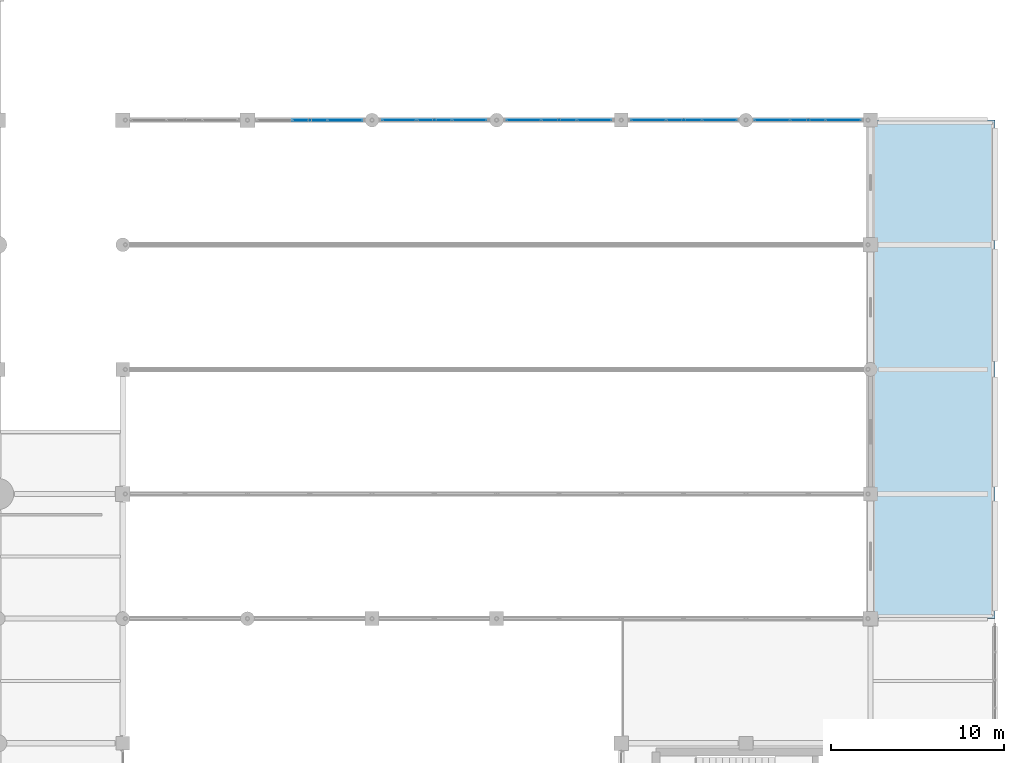
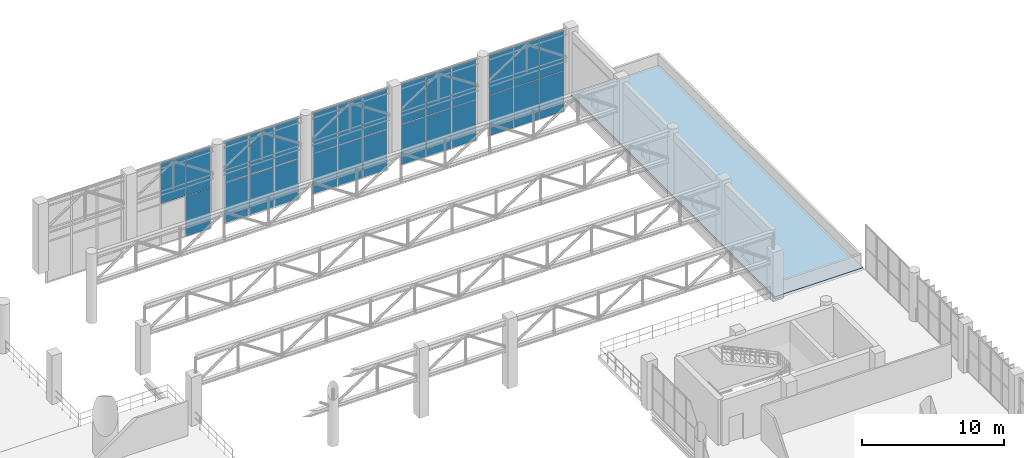
# One storey, part 128 of 153: 27 plates, 1 slab, 5 elements without a shape of their own.
"""IFC4 building model written with IfcOpenShell, lengths in metres."""

from ifc_helpers import new_model, si_unit, direction, frame, origin, origin_2d, place, context, subcontext, project, spatial, polyline, rectangle, outline, extrude, material, layer, layer_set, type_object, element, aggregate, save


model = new_model("IFC4")

# Units and contexts
model_context = context("Model", 3, precision=1e-05, world=origin(), true_north=direction((0.0, 1.0)))
body_context = subcontext(model_context, "Body", "Model", "MODEL_VIEW")
ifc_project = project(units=[si_unit("LENGTHUNIT", "METRE"), si_unit("AREAUNIT", "SQUARE_METRE"), si_unit("VOLUMEUNIT", "CUBIC_METRE"), si_unit("PLANEANGLEUNIT", "RADIAN"), si_unit("MASSUNIT", "GRAM", prefix="KILO")], contexts=[model_context])

# Site, building, storey
site_placement = place(None, origin())
site = spatial("IfcSite", under=ifc_project, at=site_placement, CompositionType="ELEMENT")
building_placement = place(site_placement, origin())
building = spatial("IfcBuilding", under=site, at=building_placement, Name="Qandorah Velis Arena", CompositionType="ELEMENT")
storey_placement = place(building_placement, frame((0.0, 0.0, 5.39990234375)))
storey = spatial("IfcBuildingStorey", under=building, at=storey_placement, Name="L01", CompositionType="ELEMENT", Elevation=5.39990234375)

# Curtain wall, plates
ifc_material_1 = material(Name="Solar-control low-E double glazing", Category="glass")
curtain_wall_type_1 = type_object("IfcCurtainWallType", Name="ARC-CW-SYS20", PredefinedType="USERDEFINED", material=ifc_material_1)
curtain_wall_1_placement = place(storey_placement, origin())
curtain_wall_1 = element("IfcCurtainWall", 1, at=curtain_wall_1_placement, inside=storey, type_object=curtain_wall_type_1, Name="Unitised curtain wall L01-164", ObjectType="UNITISED CURTAIN WALL", PredefinedType="USERDEFINED")
ifc_layer_1 = layer(ifc_material_1, 0.02392578125)
ifc_layer_set_1 = layer_set([ifc_layer_1], Name="Solar-control low-E double glazing")
plate_type_1 = type_object("IfcPlateType", Name="ARC-CWP-GLZ24", PredefinedType="CURTAIN_PANEL", material=ifc_layer_set_1)
plate_1_placement = place(storey_placement, frame((159.922119140625, 122.39990234375, -1.2548828125), z_axis=(0.0, 0.0, 1.0), x_axis=(1.0, 0.0, 0.0)))
plate_1 = element("IfcPlate", 2, at=plate_1_placement, type_object=plate_type_1, Name="CW20 panel 1.1", PredefinedType="CURTAIN_PANEL", context=body_context, shape_type="SweptSolid", body=[
    extrude(rectangle(XDim=2.004150390625, YDim=0.02392578125, at=origin_2d()), origin(), (0.0, 0.0, 1.0), 3.4775390625),
])
plate_2_placement = place(storey_placement, frame((159.922119140625, 122.39990234375, 2.257568359375), z_axis=(0.0, 0.0, 1.0), x_axis=(1.0, 0.0, 0.0)))
plate_2 = element("IfcPlate", 3, at=plate_2_placement, type_object=plate_type_1, Name="CW20 panel 1.2", PredefinedType="CURTAIN_PANEL", context=body_context, shape_type="SweptSolid", body=[
    extrude(rectangle(XDim=2.004150390625, YDim=0.02392578125, at=origin_2d()), origin(), (0.0, 0.0, 1.0), 3.4775390625),
])
plate_3_placement = place(storey_placement, frame((161.97509765625, 122.39990234375, -1.2548828125), z_axis=(0.0, 0.0, 1.0), x_axis=(1.0, 0.0, 0.0)))
plate_3 = element("IfcPlate", 4, at=plate_3_placement, type_object=plate_type_1, Name="CW20 panel 2.1", PredefinedType="CURTAIN_PANEL", context=body_context, shape_type="SweptSolid", body=[
    extrude(rectangle(XDim=2.03173828125, YDim=0.02392578125, at=origin_2d()), origin(), (0.0, 0.0, 1.0), 3.4775390625),
])
plate_4_placement = place(storey_placement, frame((161.97509765625, 122.39990234375, 2.257568359375), z_axis=(0.0, 0.0, 1.0), x_axis=(1.0, 0.0, 0.0)))
plate_4 = element("IfcPlate", 5, at=plate_4_placement, type_object=plate_type_1, Name="CW20 panel 2.2", PredefinedType="CURTAIN_PANEL", context=body_context, shape_type="SweptSolid", body=[
    extrude(rectangle(XDim=2.03173828125, YDim=0.02392578125, at=origin_2d()), origin(), (0.0, 0.0, 1.0), 3.4775390625),
])
plate_5_placement = place(storey_placement, frame((164.02783203125, 122.39990234375, -1.2548828125), z_axis=(0.0, 0.0, 1.0), x_axis=(1.0, 0.0, 0.0)))
plate_5 = element("IfcPlate", 6, at=plate_5_placement, type_object=plate_type_1, Name="CW20 panel 3.1", PredefinedType="CURTAIN_PANEL", context=body_context, shape_type="SweptSolid", body=[
    extrude(rectangle(XDim=2.004150390625, YDim=0.02392578125, at=origin_2d()), origin(), (0.0, 0.0, 1.0), 3.4775390625),
])
plate_6_placement = place(storey_placement, frame((164.02783203125, 122.39990234375, 2.257568359375), z_axis=(0.0, 0.0, 1.0), x_axis=(1.0, 0.0, 0.0)))
plate_6 = element("IfcPlate", 7, at=plate_6_placement, type_object=plate_type_1, Name="CW20 panel 3.2", PredefinedType="CURTAIN_PANEL", context=body_context, shape_type="SweptSolid", body=[
    extrude(rectangle(XDim=2.004150390625, YDim=0.02392578125, at=origin_2d()), origin(), (0.0, 0.0, 1.0), 3.4775390625),
])
aggregate(curtain_wall_1, [plate_1, plate_2, plate_3, plate_4, plate_5, plate_6])

curtain_wall_type_2 = type_object("IfcCurtainWallType", Name="ARC-CW-SYS19", PredefinedType="USERDEFINED", material=ifc_material_1)
curtain_wall_2_placement = place(storey_placement, origin())
curtain_wall_2 = element("IfcCurtainWall", 8, at=curtain_wall_2_placement, inside=storey, type_object=curtain_wall_type_2, Name="Unitised curtain wall L01-163", ObjectType="UNITISED CURTAIN WALL", PredefinedType="USERDEFINED")
ifc_layer_2 = layer(ifc_material_1, 0.028076171875)
ifc_layer_set_2 = layer_set([ifc_layer_2], Name="Solar-control low-E double glazing")
plate_type_2 = type_object("IfcPlateType", Name="ARC-CWP-GLZ28", PredefinedType="CURTAIN_PANEL", material=ifc_layer_set_2)
plate_7_placement = place(storey_placement, frame((152.7734375, 122.39990234375, -1.25), z_axis=(0.0, 0.0, 1.0), x_axis=(1.0, 0.0, 0.0)))
plate_7 = element("IfcPlate", 9, at=plate_7_placement, type_object=plate_type_2, Name="CW19 panel 1.1", PredefinedType="CURTAIN_PANEL", context=body_context, shape_type="SweptSolid", body=[
    extrude(rectangle(XDim=1.99658203125, YDim=0.028076171875, at=origin_2d()), origin(), (0.0, 0.0, 1.0), 3.469970703125),
])
plate_8_placement = place(storey_placement, frame((152.7734375, 122.39990234375, 2.26025390625), z_axis=(0.0, 0.0, 1.0), x_axis=(1.0, 0.0, 0.0)))
plate_8 = element("IfcPlate", 10, at=plate_8_placement, type_object=plate_type_2, Name="CW19 panel 1.2", PredefinedType="CURTAIN_PANEL", context=body_context, shape_type="SweptSolid", body=[
    extrude(rectangle(XDim=1.99658203125, YDim=0.028076171875, at=origin_2d()), origin(), (0.0, 0.0, 1.0), 3.469970703125),
])
plate_9_placement = place(storey_placement, frame((154.824951171875, 122.39990234375, -1.25), z_axis=(0.0, 0.0, 1.0), x_axis=(1.0, 0.0, 0.0)))
plate_9 = element("IfcPlate", 11, at=plate_9_placement, type_object=plate_type_2, Name="CW19 panel 2.1", PredefinedType="CURTAIN_PANEL", context=body_context, shape_type="SweptSolid", body=[
    extrude(rectangle(XDim=2.026611328125, YDim=0.028076171875, at=origin_2d()), origin(), (0.0, 0.0, 1.0), 3.469970703125),
])
plate_10_placement = place(storey_placement, frame((154.824951171875, 122.39990234375, 2.26025390625), z_axis=(0.0, 0.0, 1.0), x_axis=(1.0, 0.0, 0.0)))
plate_10 = element("IfcPlate", 12, at=plate_10_placement, type_object=plate_type_2, Name="CW19 panel 2.2", PredefinedType="CURTAIN_PANEL", context=body_context, shape_type="SweptSolid", body=[
    extrude(rectangle(XDim=2.026611328125, YDim=0.028076171875, at=origin_2d()), origin(), (0.0, 0.0, 1.0), 3.469970703125),
])
plate_11_placement = place(storey_placement, frame((156.876708984375, 122.39990234375, -1.25), z_axis=(0.0, 0.0, 1.0), x_axis=(1.0, 0.0, 0.0)))
plate_11 = element("IfcPlate", 13, at=plate_11_placement, type_object=plate_type_2, Name="CW19 panel 3.1", PredefinedType="CURTAIN_PANEL", context=body_context, shape_type="SweptSolid", body=[
    extrude(rectangle(XDim=1.99658203125, YDim=0.028076171875, at=origin_2d()), origin(), (0.0, 0.0, 1.0), 3.469970703125),
])
plate_12_placement = place(storey_placement, frame((156.876708984375, 122.39990234375, 2.26025390625), z_axis=(0.0, 0.0, 1.0), x_axis=(1.0, 0.0, 0.0)))
plate_12 = element("IfcPlate", 14, at=plate_12_placement, type_object=plate_type_2, Name="CW19 panel 3.2", PredefinedType="CURTAIN_PANEL", context=body_context, shape_type="SweptSolid", body=[
    extrude(rectangle(XDim=1.99658203125, YDim=0.028076171875, at=origin_2d()), origin(), (0.0, 0.0, 1.0), 3.469970703125),
])
aggregate(curtain_wall_2, [plate_7, plate_8, plate_9, plate_10, plate_11, plate_12])

curtain_wall_type_3 = type_object("IfcCurtainWallType", Name="ARC-CW-SYS18", PredefinedType="USERDEFINED", material=ifc_material_1)
curtain_wall_3_placement = place(storey_placement, origin())
curtain_wall_3 = element("IfcCurtainWall", 15, at=curtain_wall_3_placement, inside=storey, type_object=curtain_wall_type_3, Name="Unitised curtain wall L01-162", ObjectType="UNITISED CURTAIN WALL", PredefinedType="USERDEFINED")
ifc_layer_3 = layer(ifc_material_1, 0.030029296875)
ifc_layer_set_3 = layer_set([ifc_layer_3], Name="Solar-control low-E double glazing")
plate_type_3 = type_object("IfcPlateType", Name="ARC-CWP-GLZ30", PredefinedType="CURTAIN_PANEL", material=ifc_layer_set_3)
plate_13_placement = place(storey_placement, frame((145.566162109375, 122.39990234375, -1.244873046875), z_axis=(0.0, 0.0, 1.0), x_axis=(1.0, 0.0, 0.0)))
plate_13 = element("IfcPlate", 16, at=plate_13_placement, type_object=plate_type_3, Name="CW18 panel 1.1", PredefinedType="CURTAIN_PANEL", context=body_context, shape_type="SweptSolid", body=[
    extrude(rectangle(XDim=1.972412109375, YDim=0.030029296875, at=origin_2d()), origin(), (0.0, 0.0, 1.0), 3.46240234375),
])
plate_14_placement = place(storey_placement, frame((145.566162109375, 122.39990234375, 2.2626953125), z_axis=(0.0, 0.0, 1.0), x_axis=(1.0, 0.0, 0.0)))
plate_14 = element("IfcPlate", 17, at=plate_14_placement, type_object=plate_type_3, Name="CW18 panel 1.2", PredefinedType="CURTAIN_PANEL", context=body_context, shape_type="SweptSolid", body=[
    extrude(rectangle(XDim=1.972412109375, YDim=0.030029296875, at=origin_2d()), origin(), (0.0, 0.0, 1.0), 3.46240234375),
])
plate_15_placement = place(storey_placement, frame((147.60009765625, 122.39990234375, -1.244873046875), z_axis=(0.0, 0.0, 1.0), x_axis=(1.0, 0.0, 0.0)))
plate_15 = element("IfcPlate", 18, at=plate_15_placement, type_object=plate_type_3, Name="CW18 panel 2.1", PredefinedType="CURTAIN_PANEL", context=body_context, shape_type="SweptSolid", body=[
    extrude(rectangle(XDim=2.0048828125, YDim=0.030029296875, at=origin_2d()), origin(), (0.0, 0.0, 1.0), 3.46240234375),
])
plate_16_placement = place(storey_placement, frame((147.60009765625, 122.39990234375, 2.2626953125), z_axis=(0.0, 0.0, 1.0), x_axis=(1.0, 0.0, 0.0)))
plate_16 = element("IfcPlate", 19, at=plate_16_placement, type_object=plate_type_3, Name="CW18 panel 2.2", PredefinedType="CURTAIN_PANEL", context=body_context, shape_type="SweptSolid", body=[
    extrude(rectangle(XDim=2.0048828125, YDim=0.030029296875, at=origin_2d()), origin(), (0.0, 0.0, 1.0), 3.46240234375),
])
plate_17_placement = place(storey_placement, frame((149.6337890625, 122.39990234375, -1.244873046875), z_axis=(0.0, 0.0, 1.0), x_axis=(1.0, 0.0, 0.0)))
plate_17 = element("IfcPlate", 20, at=plate_17_placement, type_object=plate_type_3, Name="CW18 panel 3.1", PredefinedType="CURTAIN_PANEL", context=body_context, shape_type="SweptSolid", body=[
    extrude(rectangle(XDim=1.972412109375, YDim=0.030029296875, at=origin_2d()), origin(), (0.0, 0.0, 1.0), 3.46240234375),
])
plate_18_placement = place(storey_placement, frame((149.6337890625, 122.39990234375, 2.2626953125), z_axis=(0.0, 0.0, 1.0), x_axis=(1.0, 0.0, 0.0)))
plate_18 = element("IfcPlate", 21, at=plate_18_placement, type_object=plate_type_3, Name="CW18 panel 3.2", PredefinedType="CURTAIN_PANEL", context=body_context, shape_type="SweptSolid", body=[
    extrude(rectangle(XDim=1.972412109375, YDim=0.030029296875, at=origin_2d()), origin(), (0.0, 0.0, 1.0), 3.46240234375),
])
aggregate(curtain_wall_3, [plate_13, plate_14, plate_15, plate_16, plate_17, plate_18])

curtain_wall_type_4 = type_object("IfcCurtainWallType", Name="ARC-CW-SYS17", PredefinedType="USERDEFINED", material=ifc_material_1)
curtain_wall_4_placement = place(storey_placement, origin())
curtain_wall_4 = element("IfcCurtainWall", 22, at=curtain_wall_4_placement, inside=storey, type_object=curtain_wall_type_4, Name="Unitised curtain wall L01-161", ObjectType="UNITISED CURTAIN WALL", PredefinedType="USERDEFINED")
ifc_layer_4 = layer(ifc_material_1, 0.035888671875)
ifc_layer_set_4 = layer_set([ifc_layer_4], Name="Solar-control low-E double glazing")
plate_type_4 = type_object("IfcPlateType", Name="ARC-CWP-GLZ36", PredefinedType="CURTAIN_PANEL", material=ifc_layer_set_4)
plate_19_placement = place(storey_placement, frame((138.36865234375, 122.39990234375, -1.23486328125), z_axis=(0.0, 0.0, 1.0), x_axis=(1.0, 0.0, 0.0)))
plate_19 = element("IfcPlate", 23, at=plate_19_placement, type_object=plate_type_4, Name="CW17 panel 1.1", PredefinedType="CURTAIN_PANEL", context=body_context, shape_type="SweptSolid", body=[
    extrude(rectangle(XDim=1.95751953125, YDim=0.035888671875, at=origin_2d()), origin(), (0.0, 0.0, 1.0), 3.447509765625),
])
plate_20_placement = place(storey_placement, frame((138.36865234375, 122.39990234375, 2.267578125), z_axis=(0.0, 0.0, 1.0), x_axis=(1.0, 0.0, 0.0)))
plate_20 = element("IfcPlate", 24, at=plate_20_placement, type_object=plate_type_4, Name="CW17 panel 1.2", PredefinedType="CURTAIN_PANEL", context=body_context, shape_type="SweptSolid", body=[
    extrude(rectangle(XDim=1.95751953125, YDim=0.035888671875, at=origin_2d()), origin(), (0.0, 0.0, 1.0), 3.447509765625),
])
plate_21_placement = place(storey_placement, frame((140.39990234375, 122.39990234375, -1.23486328125), z_axis=(0.0, 0.0, 1.0), x_axis=(1.0, 0.0, 0.0)))
plate_21 = element("IfcPlate", 25, at=plate_21_placement, type_object=plate_type_4, Name="CW17 panel 2.1", PredefinedType="CURTAIN_PANEL", context=body_context, shape_type="SweptSolid", body=[
    extrude(rectangle(XDim=1.9951171875, YDim=0.035888671875, at=origin_2d()), origin(), (0.0, 0.0, 1.0), 3.447509765625),
])
plate_22_placement = place(storey_placement, frame((140.39990234375, 122.39990234375, 2.267578125), z_axis=(0.0, 0.0, 1.0), x_axis=(1.0, 0.0, 0.0)))
plate_22 = element("IfcPlate", 26, at=plate_22_placement, type_object=plate_type_4, Name="CW17 panel 2.2", PredefinedType="CURTAIN_PANEL", context=body_context, shape_type="SweptSolid", body=[
    extrude(rectangle(XDim=1.9951171875, YDim=0.035888671875, at=origin_2d()), origin(), (0.0, 0.0, 1.0), 3.447509765625),
])
plate_23_placement = place(storey_placement, frame((142.43115234375, 122.39990234375, -1.23486328125), z_axis=(0.0, 0.0, 1.0), x_axis=(1.0, 0.0, 0.0)))
plate_23 = element("IfcPlate", 27, at=plate_23_placement, type_object=plate_type_4, Name="CW17 panel 3.1", PredefinedType="CURTAIN_PANEL", context=body_context, shape_type="SweptSolid", body=[
    extrude(rectangle(XDim=1.95751953125, YDim=0.035888671875, at=origin_2d()), origin(), (0.0, 0.0, 1.0), 3.447509765625),
])
plate_24_placement = place(storey_placement, frame((142.43115234375, 122.39990234375, 2.267578125), z_axis=(0.0, 0.0, 1.0), x_axis=(1.0, 0.0, 0.0)))
plate_24 = element("IfcPlate", 28, at=plate_24_placement, type_object=plate_type_4, Name="CW17 panel 3.2", PredefinedType="CURTAIN_PANEL", context=body_context, shape_type="SweptSolid", body=[
    extrude(rectangle(XDim=1.95751953125, YDim=0.035888671875, at=origin_2d()), origin(), (0.0, 0.0, 1.0), 3.447509765625),
])
aggregate(curtain_wall_4, [plate_19, plate_20, plate_21, plate_22, plate_23, plate_24])

curtain_wall_type_5 = type_object("IfcCurtainWallType", Name="ARC-CW-SYS16", PredefinedType="USERDEFINED", material=ifc_material_1)
curtain_wall_5_placement = place(storey_placement, origin())
curtain_wall_5 = element("IfcCurtainWall", 29, at=curtain_wall_5_placement, inside=storey, type_object=curtain_wall_type_5, Name="Unitised curtain wall L01-160", ObjectType="UNITISED CURTAIN WALL", PredefinedType="USERDEFINED")
ifc_layer_5 = layer(ifc_material_1, 0.0439453125)
ifc_layer_set_5 = layer_set([ifc_layer_5], Name="Solar-control low-E double glazing")
plate_type_5 = type_object("IfcPlateType", Name="ARC-CWP-SPN44", PredefinedType="CURTAIN_PANEL", material=ifc_layer_set_5)
plate_25_placement = place(storey_placement, frame((133.199951171875, 122.39990234375, 2.257568359375), z_axis=(0.0, 0.0, 1.0), x_axis=(1.0, 0.0, 0.0)))
plate_25 = element("IfcPlate", 30, at=plate_25_placement, type_object=plate_type_5, Name="CW16 panel 2.2", PredefinedType="CURTAIN_PANEL", context=body_context, shape_type="SweptSolid", body=[
    extrude(rectangle(XDim=2.014892578125, YDim=0.0439453125, at=origin_2d()), origin(), (0.0, 0.0, 1.0), 3.4775390625),
])
plate_26_placement = place(storey_placement, frame((135.236328125, 122.39990234375, -1.2548828125), z_axis=(0.0, 0.0, 1.0), x_axis=(1.0, 0.0, 0.0)))
plate_26 = element("IfcPlate", 31, at=plate_26_placement, type_object=plate_type_5, Name="CW16 panel 3.1", PredefinedType="CURTAIN_PANEL", context=body_context, shape_type="SweptSolid", body=[
    extrude(rectangle(XDim=1.987548828125, YDim=0.0439453125, at=origin_2d()), origin(), (0.0, 0.0, 1.0), 3.4775390625),
])
plate_27_placement = place(storey_placement, frame((135.236328125, 122.39990234375, 2.257568359375), z_axis=(0.0, 0.0, 1.0), x_axis=(1.0, 0.0, 0.0)))
plate_27 = element("IfcPlate", 32, at=plate_27_placement, type_object=plate_type_5, Name="CW16 panel 3.2", PredefinedType="CURTAIN_PANEL", context=body_context, shape_type="SweptSolid", body=[
    extrude(rectangle(XDim=1.987548828125, YDim=0.0439453125, at=origin_2d()), origin(), (0.0, 0.0, 1.0), 3.4775390625),
])
aggregate(curtain_wall_5, [plate_25, plate_26, plate_27])

# Slab
ifc_material_2 = material(Name="Concrete C40/50", Category="concrete")
ifc_layer_6 = layer(ifc_material_2, 0.219970703125)
ifc_layer_set_6 = layer_set([ifc_layer_6], Name="Concrete C40/50")
slab_type = type_object("IfcSlabType", Name="STR-SLB-RF220", PredefinedType="ROOF", material=ifc_layer_set_6)
slab_placement = place(storey_placement, frame((0.0, 0.0, -0.219970703125)))
element("IfcSlab", 33, at=slab_placement, inside=storey, type_object=slab_type, Name="Roof slab SLB-ROOF-DOCK", PredefinedType="ROOF", context=body_context, shape_type="SweptSolid", body=[
    extrude(outline(polyline([(165.60009765625, 93.60009765625), (172.800048828125, 93.60009765625), (172.800048828125, 122.39990234375), (165.60009765625, 122.39990234375), (165.60009765625, 93.60009765625)])), origin(), (0.0, 0.0, 1.0), 0.219970703125),
])

save(model, "model.ifc")
